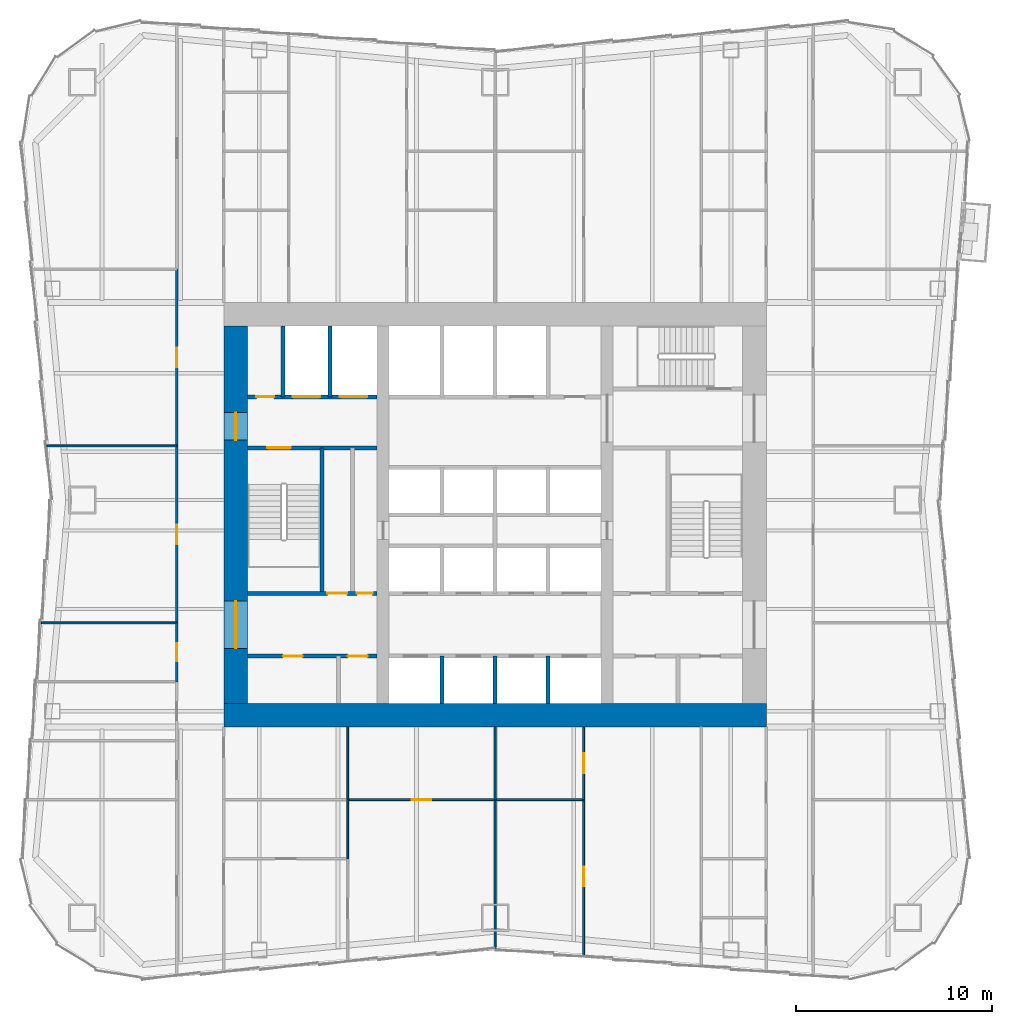
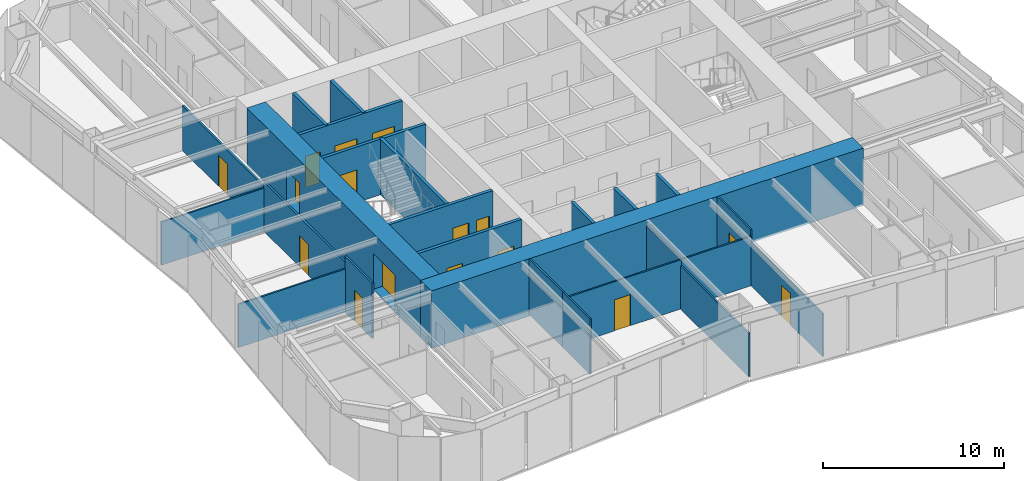
# One storey, part 4 of 9: 25 walls, 16 doors, 16 openings.
"""IFC4 building model written with IfcOpenShell, lengths in metres."""

import ifcopenshell
import ifcopenshell.guid

model = None  # the IFC model being written
_history = None  # IfcOwnerHistory: only IFC2X3 demands one
_inside = {}  # id of a spatial element -> (the spatial element, [elements in it])
_under = {}  # id of a project, library or spatial element -> (it, [spatial elements below it])
_declared = {}  # id of a project -> (the project, [libraries it declares])
_typed = {}  # id of a type object -> (the type object, [elements of that type])
_made_of = {}  # id of a material, layer set ... -> (it, [elements and type objects made of it])


def new_model(schema):
    """Start an empty IFC model of exactly this schema.

    Asked for "IFC4X3", IfcOpenShell would pick the latest addendum, in which some entities
    have other attributes; the version numbers below select the first issue.
    IFC2X3 requires an IfcOwnerHistory on every rooted entity: one is made here for all.
    """
    global model, _history
    if schema == "IFC4X3":
        model = ifcopenshell.file(schema_version=(4, 3, 0, 0))
    else:
        model = ifcopenshell.file(schema=schema)
    _inside.clear()
    _under.clear()
    _declared.clear()
    _typed.clear()
    _made_of.clear()
    _history = None
    if model.schema == "IFC2X3":
        org = make("IfcOrganization", Name="unknown")
        user = make(
            "IfcPersonAndOrganization",
            ThePerson=make("IfcPerson", FamilyName="unknown"),
            TheOrganization=org,
        )
        app = make(
            "IfcApplication",
            ApplicationDeveloper=org,
            Version="unknown",
            ApplicationFullName="unknown",
            ApplicationIdentifier="unknown",
        )
        _history = make(
            "IfcOwnerHistory",
            OwningUser=user,
            OwningApplication=app,
            ChangeAction="ADDED",
            CreationDate=0,
        )
    return model


def make(cls, **values):
    """One entity of the class cls with the attributes given. An attribute that is None is left unset."""
    return model.create_entity(
        cls, **{name: value for name, value in values.items() if value is not None}
    )


def rooted(cls, **values):
    """An entity with a GlobalId (a new one), such as an element, a storey or a relation."""
    return make(cls, GlobalId=ifcopenshell.guid.new(), OwnerHistory=_history, **values)


def si_unit(unit_type, name, prefix=None):
    """IfcSIUnit, for example si_unit("LENGTHUNIT", "METRE", prefix="MILLI")."""
    return make("IfcSIUnit", UnitType=unit_type, Prefix=prefix, Name=name)


def assignment(units):
    """IfcUnitAssignment: the units of a project."""
    return None if units is None else make("IfcUnitAssignment", Units=units)


def point(xyz):
    """IfcCartesianPoint."""
    return None if xyz is None else make("IfcCartesianPoint", Coordinates=xyz)


def direction(xyz):
    """IfcDirection."""
    return None if xyz is None else make("IfcDirection", DirectionRatios=xyz)


def frame(location, z_axis=None, x_axis=None):
    """IfcAxis2Placement3D, a coordinate frame: its origin and axes. An axis left out is left unset."""
    return make(
        "IfcAxis2Placement3D",
        Location=point(location),
        Axis=direction(z_axis),
        RefDirection=direction(x_axis),
    )


def frame_2d(location, x_axis=None):
    """IfcAxis2Placement2D, a coordinate frame in the plane: its origin and x axis."""
    return make(
        "IfcAxis2Placement2D", Location=point(location), RefDirection=direction(x_axis)
    )


def origin():
    """The frame at (0, 0, 0) with its axes left unset."""
    return frame((0.0, 0.0, 0.0))


def place(relative_to, where):
    """IfcLocalPlacement: puts the frame where relative to a parent placement (None: the world)."""
    return make(
        "IfcLocalPlacement", PlacementRelTo=relative_to, RelativePlacement=where
    )


def context(
    kind, dimensions, precision=None, world=None, true_north=None, identifier=None
):
    """IfcGeometricRepresentationContext, for example the 3D "Model" context."""
    return make(
        "IfcGeometricRepresentationContext",
        ContextIdentifier=identifier,
        ContextType=kind,
        CoordinateSpaceDimension=dimensions,
        Precision=precision,
        WorldCoordinateSystem=world,
        TrueNorth=true_north,
    )


def subcontext(parent, identifier, kind, view, scale=None):
    """IfcGeometricRepresentationSubContext, for example "Body" below "Model"."""
    return make(
        "IfcGeometricRepresentationSubContext",
        ContextIdentifier=identifier,
        ContextType=kind,
        ParentContext=parent,
        TargetScale=scale,
        TargetView=view,
    )


def project(units=None, contexts=None):
    """IfcProject with its units and contexts."""
    return rooted(
        "IfcProject",
        Name="project",
        RepresentationContexts=contexts,
        UnitsInContext=assignment(units),
    )


def spatial(cls, under=None, at=None, **own):
    """A site, building, storey or space (cls), placed at a placement, below another one or the project."""
    s = rooted(cls, ObjectPlacement=at, **own)
    if under is not None:
        _under.setdefault(under.id(), (under, []))[1].append(s)
    return s


def profile(cls, at=None, kind="AREA", **sizes):
    """A parametric profile (cls). Its sizes go by their IFC names, for example OverallWidth=200.0."""
    return make(cls, ProfileType=kind, Position=at, **sizes)


def rectangle(**sizes):
    """IfcRectangleProfileDef."""
    return profile("IfcRectangleProfileDef", **sizes)


def extrude(swept, where, along, depth):
    """IfcExtrudedAreaSolid: the profile swept, set in the frame where, extruded along a direction by depth."""
    return make(
        "IfcExtrudedAreaSolid",
        SweptArea=swept,
        Position=where,
        ExtrudedDirection=direction(along),
        Depth=depth,
    )


def shape(context_of_items, identifier, shape_type, items):
    """IfcShapeRepresentation: the items that make up one representation, for example the "Body"."""
    return make(
        "IfcShapeRepresentation",
        ContextOfItems=context_of_items,
        RepresentationIdentifier=identifier,
        RepresentationType=shape_type,
        Items=items,
    )


def material(Name=None, Category=None):
    """IfcMaterial."""
    return make("IfcMaterial", Name=Name, Category=Category)


def layer(
    of_material, thickness, ventilated=None, Name=None, Category=None, Priority=None
):
    """IfcMaterialLayer: one layer of a wall or slab, of a material (None: an air gap)."""
    return make(
        "IfcMaterialLayer",
        Material=of_material,
        LayerThickness=thickness,
        IsVentilated=ventilated,
        Name=Name,
        Category=Category,
        Priority=Priority,
    )


def layer_set(layers, Name=None):
    """IfcMaterialLayerSet."""
    return make("IfcMaterialLayerSet", MaterialLayers=layers, LayerSetName=Name)


def made_of(thing, what):
    """Note that an element or type object is made of a material, layer set ...; save() writes the relation."""
    if what is not None:
        _made_of.setdefault(what.id(), (what, []))[1].append(thing)
    return thing


def type_object(cls, material=None, **own):
    """A type object (cls), such as IfcWallType, which elements share."""
    return made_of(rooted(cls, **own), material)


def element(
    cls,
    number,
    at=None,
    inside=None,
    cuts=None,
    type_object=None,
    material=None,
    context=None,
    identifier="Body",
    shape_type=None,
    held_by="IfcProductDefinitionShape",
    body=None,
    shapes=None,
    **own,
):
    """One element of the class cls, such as IfcWall. Its Tag is "e" and its number.

    at: its placement. inside: the storey or other place that contains it. cuts: it is an
    opening in that element (IfcRelVoidsElement). A single representation is given by context,
    identifier, shape_type and body (its items); several are given by shapes. held_by: the class
    of the entity that holds the representations. save() writes the other relations.
    """
    e = rooted(cls, Tag="e%d" % number, ObjectPlacement=at, **own)
    if body is not None:
        shapes = [shape(context, identifier, shape_type, body)]
    if shapes is not None:
        e.Representation = make(held_by, Representations=shapes)
    if inside is not None:
        _inside.setdefault(inside.id(), (inside, []))[1].append(e)
    if cuts is not None:
        rooted(
            "IfcRelVoidsElement", RelatingBuildingElement=cuts, RelatedOpeningElement=e
        )
    if type_object is not None:
        _typed.setdefault(type_object.id(), (type_object, []))[1].append(e)
    return made_of(e, material)


def fill(opening, filler):
    """IfcRelFillsElement: the door or window that sits in an opening."""
    return rooted(
        "IfcRelFillsElement",
        RelatingOpeningElement=opening,
        RelatedBuildingElement=filler,
    )


def aggregate(whole, parts):
    """IfcRelAggregates: a whole, such as a stair, and the parts it consists of."""
    return rooted("IfcRelAggregates", RelatingObject=whole, RelatedObjects=parts)


def save(model, path):
    """Write the relations noted so far, then the file.

    IfcRelAggregates (storeys below a building ...), IfcRelContainedInSpatialStructure (elements
    in a storey), IfcRelDefinesByType, IfcRelAssociatesMaterial and IfcRelDeclares: one each for
    every whole, place, type object, material and project.
    """
    for whole, parts in _under.values():
        aggregate(whole, parts)
    for where, things in _inside.values():
        rooted(
            "IfcRelContainedInSpatialStructure",
            RelatedElements=things,
            RelatingStructure=where,
        )
    for kind, things in _typed.values():
        rooted("IfcRelDefinesByType", RelatedObjects=things, RelatingType=kind)
    for what, things in _made_of.values():
        rooted("IfcRelAssociatesMaterial", RelatedObjects=things, RelatingMaterial=what)
    for by, libraries in _declared.values():
        rooted("IfcRelDeclares", RelatingContext=by, RelatedDefinitions=libraries)
    model.write(path)


model = new_model("IFC4")

# Units and contexts
model_context = context("Model", 3, precision=1e-05, world=origin(), true_north=direction((0.0, 1.0)))
body_context = subcontext(model_context, "Body", "Model", "MODEL_VIEW")
ifc_project = project(units=[si_unit("LENGTHUNIT", "METRE"), si_unit("AREAUNIT", "SQUARE_METRE"), si_unit("VOLUMEUNIT", "CUBIC_METRE"), si_unit("PLANEANGLEUNIT", "RADIAN"), si_unit("MASSUNIT", "GRAM", prefix="KILO")], contexts=[model_context])

# Site, building, storey
site_placement = place(None, origin())
site = spatial("IfcSite", under=ifc_project, at=site_placement, CompositionType="ELEMENT")
building_placement = place(site_placement, origin())
building = spatial("IfcBuilding", under=site, at=building_placement, Name="Verdant Reach Tower", CompositionType="ELEMENT")
storey_placement = place(building_placement, frame((0.0, 0.0, 110.0)))
storey = spatial("IfcBuildingStorey", under=building, at=storey_placement, Name="L25", CompositionType="ELEMENT", Elevation=110.0)

# Wall, openings, doors
ifc_material_1 = material(Name="Gypsum board on steel studs", Category="steel")
ifc_layer_1 = layer(ifc_material_1, 0.199951171875)
ifc_layer_set_1 = layer_set([ifc_layer_1], Name="CO-WALL-ROOM")
wall_type_1 = type_object("IfcWallType", Name="CO-WALL-ROOM", PredefinedType="PARTITIONING", material=ifc_layer_set_1)
wall_1_placement = place(storey_placement, frame((-12.60009765625, 20.800048828125, 0.0), z_axis=(0.0, 0.0, 1.0), x_axis=(1.0, 0.0, 0.0)))
wall_1 = element("IfcWall", 1, at=wall_1_placement, inside=storey, type_object=wall_type_1, Name="Core partition, L25", PredefinedType="PARTITIONING", context=body_context, shape_type="SweptSolid", body=[
    extrude(rectangle(XDim=6.60009765625, YDim=0.199951171875, at=frame_2d((3.300048828125, 0.0))), origin(), (0.0, 0.0, 1.0), 3.75),
])
opening_1_placement = place(wall_1_placement, frame((1.81005859375, 0.0, 0.0)))
opening_1 = element("IfcOpeningElement", 2, at=opening_1_placement, cuts=wall_1, Name="Opening CD", PredefinedType="OPENING", context=body_context, shape_type="SweptSolid", body=[
    extrude(rectangle(XDim=1.0, YDim=2.10009765625, at=frame_2d((0.5, 1.050048828125))), frame((0.0, 0.10986328125, 0.0), z_axis=(0.0, -1.0, 0.0), x_axis=(1.0, 0.0, 0.0)), (0.0, 0.0, 1.0), 0.219970703125),
])
opening_2_placement = place(wall_1_placement, frame((5.110107421875, 0.0, 0.0)))
opening_2 = element("IfcOpeningElement", 3, at=opening_2_placement, cuts=wall_1, Name="Opening CD", PredefinedType="OPENING", context=body_context, shape_type="SweptSolid", body=[
    extrude(rectangle(XDim=1.0, YDim=2.10009765625, at=frame_2d((0.5, 1.050048828125))), frame((0.0, 0.10986328125, 0.0), z_axis=(0.0, -1.0, 0.0), x_axis=(1.0, 0.0, 0.0)), (0.0, 0.0, 1.0), 0.219970703125),
])
ifc_material_2 = material(Name="Timber", Category="wood")
door_type_1 = type_object("IfcDoorType", Name="CO-DOOR-ROOM", OperationType="NOTDEFINED", PredefinedType="DOOR", material=ifc_material_2)
door_1_placement = place(opening_1_placement, origin())
door_1 = element("IfcDoor", 4, at=door_1_placement, inside=storey, type_object=door_type_1, Name="Core room door, L25", OperationType="SINGLE_SWING_LEFT", OverallHeight=2.10009765625, OverallWidth=1.0, PredefinedType="DOOR", context=body_context, shape_type="SweptSolid", body=[
    extrude(rectangle(XDim=1.0, YDim=2.10009765625, at=frame_2d((0.5, 1.050048828125))), frame((0.0, 0.02490234375, 0.0), z_axis=(0.0, -1.0, 0.0), x_axis=(1.0, 0.0, 0.0)), (0.0, 0.0, 1.0), 0.050048828125),
])
fill(opening_1, door_1)
door_2_placement = place(opening_2_placement, origin())
door_2 = element("IfcDoor", 5, at=door_2_placement, inside=storey, type_object=door_type_1, Name="Core room door, L25", OperationType="SINGLE_SWING_LEFT", OverallHeight=2.10009765625, OverallWidth=1.0, PredefinedType="DOOR", context=body_context, shape_type="SweptSolid", body=[
    extrude(rectangle(XDim=1.0, YDim=2.10009765625, at=frame_2d((0.5, 1.050048828125))), frame((0.0, 0.02490234375, 0.0), z_axis=(0.0, -1.0, 0.0), x_axis=(1.0, 0.0, 0.0)), (0.0, 0.0, 1.0), 0.050048828125),
])
fill(opening_2, door_2)

ifc_material_3 = material(Name="Concrete C40/50", Category="concrete")
ifc_layer_2 = layer(ifc_material_3, 0.199951171875)
ifc_layer_set_2 = layer_set([ifc_layer_2], Name="CO-WALL-SHAFT")
wall_type_2 = type_object("IfcWallType", Name="CO-WALL-SHAFT", PredefinedType="PARTITIONING", material=ifc_layer_set_2)
wall_2_placement = place(storey_placement, frame((-12.60009765625, 34.0, 0.0), z_axis=(0.0, 0.0, 1.0), x_axis=(1.0, 0.0, 0.0)))
wall_2 = element("IfcWall", 6, at=wall_2_placement, inside=storey, type_object=wall_type_2, Name="Lift shaft wall, L25", PredefinedType="PARTITIONING", context=body_context, shape_type="SweptSolid", body=[
    extrude(rectangle(XDim=6.60009765625, YDim=0.199951171875, at=frame_2d((3.300048828125, 0.0))), origin(), (0.0, 0.0, 1.0), 3.75),
])
opening_3_placement = place(wall_2_placement, frame((4.699951171875, 0.0, 0.0)))
opening_3 = element("IfcOpeningElement", 7, at=opening_3_placement, cuts=wall_2, Name="Opening LD-F1", PredefinedType="OPENING", context=body_context, shape_type="SweptSolid", body=[
    extrude(rectangle(XDim=1.39990234375, YDim=2.199951171875, at=frame_2d((0.699951171875, 1.10009765625))), frame((0.0, 0.10986328125, 0.0), z_axis=(0.0, -1.0, 0.0), x_axis=(1.0, 0.0, 0.0)), (0.0, 0.0, 1.0), 0.219970703125),
])
opening_4_placement = place(wall_2_placement, frame((2.300048828125, 0.0, 0.0)))
opening_4 = element("IfcOpeningElement", 8, at=opening_4_placement, cuts=wall_2, Name="Opening LD-F2", PredefinedType="OPENING", context=body_context, shape_type="SweptSolid", body=[
    extrude(rectangle(XDim=1.39990234375, YDim=2.199951171875, at=frame_2d((0.699951171875, 1.10009765625))), frame((0.0, 0.10986328125, 0.0), z_axis=(0.0, -1.0, 0.0), x_axis=(1.0, 0.0, 0.0)), (0.0, 0.0, 1.0), 0.219970703125),
])
opening_5_placement = place(wall_2_placement, frame((0.449951171875, 0.0, 0.0)))
opening_5 = element("IfcOpeningElement", 9, at=opening_5_placement, cuts=wall_2, Name="Opening RD", PredefinedType="OPENING", context=body_context, shape_type="SweptSolid", body=[
    extrude(rectangle(XDim=0.89990234375, YDim=2.10009765625, at=frame_2d((0.449951171875, 1.050048828125))), frame((0.0, 0.10986328125, 0.0), z_axis=(0.0, -1.0, 0.0), x_axis=(1.0, 0.0, 0.0)), (0.0, 0.0, 1.0), 0.219970703125),
])
ifc_material_4 = material(Name="Stainless steel", Category="steel")
door_type_2 = type_object("IfcDoorType", Name="CO-DOOR-LANDING-FF", OperationType="SLIDING_TO_LEFT", PredefinedType="DOOR", material=ifc_material_4)
door_3_placement = place(opening_3_placement, origin())
door_3 = element("IfcDoor", 10, at=door_3_placement, inside=storey, type_object=door_type_2, Name="Landing door F1, L25", OperationType="SLIDING_TO_LEFT", OverallHeight=2.199951171875, OverallWidth=1.39990234375, PredefinedType="DOOR", context=body_context, shape_type="SweptSolid", body=[
    extrude(rectangle(XDim=1.39990234375, YDim=2.199951171875, at=frame_2d((0.699951171875, 1.10009765625))), frame((0.0, 0.02490234375, 0.0), z_axis=(0.0, -1.0, 0.0), x_axis=(1.0, 0.0, 0.0)), (0.0, 0.0, 1.0), 0.050048828125),
])
fill(opening_3, door_3)
door_4_placement = place(opening_4_placement, origin())
door_4 = element("IfcDoor", 11, at=door_4_placement, inside=storey, type_object=door_type_2, Name="Landing door F2, L25", OperationType="SLIDING_TO_LEFT", OverallHeight=2.199951171875, OverallWidth=1.39990234375, PredefinedType="DOOR", context=body_context, shape_type="SweptSolid", body=[
    extrude(rectangle(XDim=1.39990234375, YDim=2.199951171875, at=frame_2d((0.699951171875, 1.10009765625))), frame((0.0, 0.02490234375, 0.0), z_axis=(0.0, -1.0, 0.0), x_axis=(1.0, 0.0, 0.0)), (0.0, 0.0, 1.0), 0.050048828125),
])
fill(opening_4, door_4)
ifc_material_5 = material(Name="Steel", Category="steel")
door_type_3 = type_object("IfcDoorType", Name="CO-DOOR-RISER", OperationType="NOTDEFINED", PredefinedType="DOOR", material=ifc_material_5)
door_5_placement = place(opening_5_placement, origin())
door_5 = element("IfcDoor", 12, at=door_5_placement, inside=storey, type_object=door_type_3, Name="Core room door, L25", OperationType="SINGLE_SWING_RIGHT", OverallHeight=2.10009765625, OverallWidth=0.89990234375, PredefinedType="DOOR", context=body_context, shape_type="SweptSolid", body=[
    extrude(rectangle(XDim=0.89990234375, YDim=2.10009765625, at=frame_2d((0.449951171875, 1.050048828125))), frame((0.0, 0.02490234375, 0.0), z_axis=(0.0, -1.0, 0.0), x_axis=(1.0, 0.0, 0.0)), (0.0, 0.0, 1.0), 0.050048828125),
])
fill(opening_5, door_5)

# Walls
for number, where, z_axis, x_axis, name in (
    (13, (-10.800048828125, 34.0, 0.0), (0.0, 0.0, 1.0), (0.0, 1.0, 0.0), "Lift shaft wall, L25"),
    (14, (-8.39990234375, 34.0, 0.0), (0.0, 0.0, 1.0), (0.0, 1.0, 0.0), "Lift shaft wall, L25"),
):
    element("IfcWall", number, at=place(storey_placement, frame(where, z_axis=z_axis, x_axis=x_axis)), inside=storey, type_object=wall_type_2, Name=name, PredefinedType="PARTITIONING", context=body_context, shape_type="SweptSolid", body=[
        extrude(rectangle(XDim=3.60009765625, YDim=0.199951171875, at=frame_2d((1.800048828125, 0.0))), origin(), (0.0, 0.0, 1.0), 3.75),
    ])
for number, where, z_axis, x_axis, name in (
    (15, (-2.699951171875, 18.39990234375, 0.0), (0.0, 0.0, 1.0), (0.0, 1.0, 0.0), "Lift shaft wall, L25"),
    (16, (0.0, 18.39990234375, 0.0), (0.0, 0.0, 1.0), (0.0, 1.0, 0.0), "Lift shaft wall, L25"),
    (17, (2.699951171875, 18.39990234375, 0.0), (0.0, 0.0, 1.0), (0.0, 1.0, 0.0), "Lift shaft wall, L25"),
):
    element("IfcWall", number, at=place(storey_placement, frame(where, z_axis=z_axis, x_axis=x_axis)), inside=storey, type_object=wall_type_2, Name=name, PredefinedType="PARTITIONING", context=body_context, shape_type="SweptSolid", body=[
        extrude(rectangle(XDim=2.400146484375, YDim=0.199951171875, at=frame_2d((1.2001953125, 0.0))), origin(), (0.0, 0.0, 1.0), 3.75),
    ])

# Wall, openings, doors
ifc_layer_3 = layer(ifc_material_3, 0.199951171875)
ifc_layer_set_3 = layer_set([ifc_layer_3], Name="CO-WALL-STAIR")
wall_type_3 = type_object("IfcWallType", Name="CO-WALL-STAIR", PredefinedType="PARTITIONING", material=ifc_layer_set_3)
wall_3_placement = place(storey_placement, frame((-12.60009765625, 24.0, 0.0), z_axis=(0.0, 0.0, 1.0), x_axis=(1.0, 0.0, 0.0)))
wall_3 = element("IfcWall", 18, at=wall_3_placement, inside=storey, type_object=wall_type_3, Name="Stair enclosure wall, L25", PredefinedType="PARTITIONING", context=body_context, shape_type="SweptSolid", body=[
    extrude(rectangle(XDim=6.60009765625, YDim=0.199951171875, at=frame_2d((3.300048828125, 0.0))), origin(), (0.0, 0.0, 1.0), 3.75),
])
opening_6_placement = place(wall_3_placement, frame((4.070068359375, 0.0, 0.0)))
opening_6 = element("IfcOpeningElement", 19, at=opening_6_placement, cuts=wall_3, Name="Opening CD", PredefinedType="OPENING", context=body_context, shape_type="SweptSolid", body=[
    extrude(rectangle(XDim=1.0, YDim=2.10009765625, at=frame_2d((0.5, 1.050048828125))), frame((0.0, 0.10986328125, 0.0), z_axis=(0.0, -1.0, 0.0), x_axis=(1.0, 0.0, 0.0)), (0.0, 0.0, 1.0), 0.219970703125),
])
opening_7_placement = place(wall_3_placement, frame((5.570068359375, 0.0, 0.0)))
opening_7 = element("IfcOpeningElement", 20, at=opening_7_placement, cuts=wall_3, Name="Opening CDN", PredefinedType="OPENING", context=body_context, shape_type="SweptSolid", body=[
    extrude(rectangle(XDim=0.800048828125, YDim=2.10009765625, at=frame_2d((0.39990234375, 1.050048828125))), frame((0.0, 0.10986328125, 0.0), z_axis=(0.0, -1.0, 0.0), x_axis=(1.0, 0.0, 0.0)), (0.0, 0.0, 1.0), 0.219970703125),
])
door_6_placement = place(opening_6_placement, origin())
door_6 = element("IfcDoor", 21, at=door_6_placement, inside=storey, type_object=door_type_1, Name="Core room door, L25", OperationType="SINGLE_SWING_RIGHT", OverallHeight=2.10009765625, OverallWidth=1.0, PredefinedType="DOOR", context=body_context, shape_type="SweptSolid", body=[
    extrude(rectangle(XDim=1.0, YDim=2.10009765625, at=frame_2d((0.5, 1.050048828125))), frame((0.0, 0.02490234375, 0.0), z_axis=(0.0, -1.0, 0.0), x_axis=(1.0, 0.0, 0.0)), (0.0, 0.0, 1.0), 0.050048828125),
])
fill(opening_6, door_6)
door_type_4 = type_object("IfcDoorType", Name="CO-DOOR-ROOM-NARROW", OperationType="NOTDEFINED", PredefinedType="DOOR", material=ifc_material_2)
door_7_placement = place(opening_7_placement, origin())
door_7 = element("IfcDoor", 22, at=door_7_placement, inside=storey, type_object=door_type_4, Name="Core room door, L25", OperationType="SINGLE_SWING_LEFT", OverallHeight=2.10009765625, OverallWidth=0.800048828125, PredefinedType="DOOR", context=body_context, shape_type="SweptSolid", body=[
    extrude(rectangle(XDim=0.800048828125, YDim=2.10009765625, at=frame_2d((0.39990234375, 1.050048828125))), frame((0.0, 0.02490234375, 0.0), z_axis=(0.0, -1.0, 0.0), x_axis=(1.0, 0.0, 0.0)), (0.0, 0.0, 1.0), 0.050048828125),
])
fill(opening_7, door_7)

# Wall, opening, door
wall_4_placement = place(storey_placement, frame((-12.60009765625, 31.39990234375, 0.0), z_axis=(0.0, 0.0, 1.0), x_axis=(1.0, 0.0, 0.0)))
wall_4 = element("IfcWall", 23, at=wall_4_placement, inside=storey, type_object=wall_type_3, Name="Stair enclosure wall, L25", PredefinedType="PARTITIONING", context=body_context, shape_type="SweptSolid", body=[
    extrude(rectangle(XDim=6.60009765625, YDim=0.199951171875, at=frame_2d((3.300048828125, 0.0))), origin(), (0.0, 0.0, 1.0), 3.75),
])
opening_8_placement = place(wall_4_placement, frame((1.0, 0.0, 0.0)))
opening_8 = element("IfcOpeningElement", 24, at=opening_8_placement, cuts=wall_4, Name="Opening SD", PredefinedType="OPENING", context=body_context, shape_type="SweptSolid", body=[
    extrude(rectangle(XDim=1.199951171875, YDim=2.199951171875, at=frame_2d((0.60009765625, 1.10009765625))), frame((0.0, 0.10986328125, 0.0), z_axis=(0.0, -1.0, 0.0), x_axis=(1.0, 0.0, 0.0)), (0.0, 0.0, 1.0), 0.219970703125),
])
door_type_5 = type_object("IfcDoorType", Name="CO-DOOR-STAIR", OperationType="NOTDEFINED", PredefinedType="DOOR", material=ifc_material_5)
door_8_placement = place(opening_8_placement, origin())
door_8 = element("IfcDoor", 25, at=door_8_placement, inside=storey, type_object=door_type_5, Name="Stair door, L25", OperationType="SINGLE_SWING_RIGHT", OverallHeight=2.199951171875, OverallWidth=1.199951171875, PredefinedType="DOOR", context=body_context, shape_type="SweptSolid", body=[
    extrude(rectangle(XDim=1.199951171875, YDim=2.199951171875, at=frame_2d((0.60009765625, 1.10009765625))), frame((0.0, 0.02490234375, 0.0), z_axis=(0.0, -1.0, 0.0), x_axis=(1.0, 0.0, 0.0)), (0.0, 0.0, 1.0), 0.050048828125),
])
fill(opening_8, door_8)

# Walls
wall_5_placement = place(storey_placement, frame((-8.800048828125, 24.0, 0.0), z_axis=(0.0, 0.0, 1.0), x_axis=(0.0, 1.0, 0.0)))
element("IfcWall", 26, at=wall_5_placement, inside=storey, type_object=wall_type_3, Name="Stair enclosure wall, L25", PredefinedType="PARTITIONING", context=body_context, shape_type="SweptSolid", body=[
    extrude(rectangle(XDim=7.39990234375, YDim=0.199951171875, at=frame_2d((3.699951171875, 0.0))), origin(), (0.0, 0.0, 1.0), 3.75),
])
ifc_layer_4 = layer(ifc_material_1, 0.10009765625)
ifc_layer_set_4 = layer_set([ifc_layer_4], Name="FL-W1 Partition 100")
wall_type_4 = type_object("IfcWallType", Name="FL-W1 Partition 100", PredefinedType="PARTITIONING", material=ifc_layer_set_4)
wall_6_placement = place(storey_placement, frame((-16.199951171875, 22.5, 0.0), z_axis=(0.0, 0.0, 1.0), x_axis=(-1.0, 0.0, 0.0)))
element("IfcWall", 27, at=wall_6_placement, inside=storey, type_object=wall_type_4, Name="Partition 25.30", PredefinedType="PARTITIONING", context=body_context, shape_type="SweptSolid", body=[
    extrude(rectangle(XDim=6.893798828125, YDim=0.10009765625, at=frame_2d((3.44677734375, 0.0))), origin(), (0.0, 0.0, 1.0), 2.919921875),
])
wall_7_placement = place(storey_placement, frame((-16.199951171875, 31.5, 0.0), z_axis=(0.0, 0.0, 1.0), x_axis=(-1.0, 0.0, 0.0)))
element("IfcWall", 28, at=wall_7_placement, inside=storey, type_object=wall_type_4, Name="Partition 25.31", PredefinedType="PARTITIONING", context=body_context, shape_type="SweptSolid", body=[
    extrude(rectangle(XDim=6.60595703125, YDim=0.10009765625, at=frame_2d((3.302978515625, 0.0))), origin(), (0.0, 0.0, 1.0), 2.919921875),
])
wall_8_placement = place(storey_placement, frame((-7.5, 10.49609375, 0.0), z_axis=(0.0, 0.0, 1.0), x_axis=(0.0, 1.0, 0.0)))
element("IfcWall", 29, at=wall_8_placement, inside=storey, type_object=wall_type_4, Name="Partition 25.41", PredefinedType="PARTITIONING", context=body_context, shape_type="SweptSolid", body=[
    extrude(rectangle(XDim=3.00390625, YDim=0.10009765625, at=frame_2d((1.501953125, 0.0))), origin(), (0.0, 0.0, 1.0), 3.75),
])
wall_9_placement = place(storey_placement, frame((-7.5, 13.5, 0.0), z_axis=(0.0, 0.0, 1.0), x_axis=(0.0, 1.0, 0.0)))
element("IfcWall", 30, at=wall_9_placement, inside=storey, type_object=wall_type_4, Name="Partition 25.42", PredefinedType="PARTITIONING", context=body_context, shape_type="SweptSolid", body=[
    extrude(rectangle(XDim=3.699951171875, YDim=0.10009765625, at=frame_2d((1.85009765625, 0.0))), origin(), (0.0, 0.0, 1.0), 3.75),
])

# Wall, opening, door
wall_10_placement = place(storey_placement, frame((-7.5, 13.5, 0.0), z_axis=(0.0, 0.0, 1.0), x_axis=(1.0, 0.0, 0.0)))
wall_10 = element("IfcWall", 31, at=wall_10_placement, inside=storey, type_object=wall_type_4, Name="Partition 25.43", PredefinedType="PARTITIONING", context=body_context, shape_type="SweptSolid", body=[
    extrude(rectangle(XDim=7.5, YDim=0.10009765625, at=frame_2d((3.75, 0.0))), origin(), (0.0, 0.0, 1.0), 3.320068359375),
])
opening_9_placement = place(wall_10_placement, frame((3.25, 0.0, 0.0)))
opening_9 = element("IfcOpeningElement", 32, at=opening_9_placement, cuts=wall_10, Name="Opening D3", PredefinedType="OPENING", context=body_context, shape_type="SweptSolid", body=[
    extrude(rectangle(XDim=1.0, YDim=2.10009765625, at=frame_2d((0.5, 1.050048828125))), frame((0.0, 0.06005859375, 0.0), z_axis=(0.0, -1.0, 0.0), x_axis=(1.0, 0.0, 0.0)), (0.0, 0.0, 1.0), 0.1201171875),
])
ifc_material_6 = material(Name="Painted timber door leaf", Category="wood")
door_type_6 = type_object("IfcDoorType", Name="FL-D3 Door 1000x2100", OperationType="NOTDEFINED", PredefinedType="DOOR", material=ifc_material_6)
door_9_placement = place(opening_9_placement, origin())
door_9 = element("IfcDoor", 33, at=door_9_placement, inside=storey, type_object=door_type_6, Name="Door 25-028", OperationType="SINGLE_SWING_RIGHT", OverallHeight=2.10009765625, OverallWidth=1.0, PredefinedType="DOOR", context=body_context, shape_type="SweptSolid", body=[
    extrude(rectangle(XDim=1.0, YDim=2.10009765625, at=frame_2d((0.5, 1.050048828125))), frame((0.0, 0.02490234375, 0.0), z_axis=(0.0, -1.0, 0.0), x_axis=(1.0, 0.0, 0.0)), (0.0, 0.0, 1.0), 0.050048828125),
])
fill(opening_9, door_9)

# Walls
wall_11_placement = place(storey_placement, frame((0.0, 5.919921875, 0.0), z_axis=(0.0, 0.0, 1.0), x_axis=(0.0, 1.0, 0.0)))
element("IfcWall", 34, at=wall_11_placement, inside=storey, type_object=wall_type_4, Name="Partition 25.44", PredefinedType="PARTITIONING", context=body_context, shape_type="SweptSolid", body=[
    extrude(rectangle(XDim=7.580078125, YDim=0.10009765625, at=frame_2d((3.7900390625, 0.0))), origin(), (0.0, 0.0, 1.0), 2.919921875),
])
wall_12_placement = place(storey_placement, frame((0.0, 13.5, 0.0), z_axis=(0.0, 0.0, 1.0), x_axis=(0.0, 1.0, 0.0)))
element("IfcWall", 35, at=wall_12_placement, inside=storey, type_object=wall_type_4, Name="Partition 25.45", PredefinedType="PARTITIONING", context=body_context, shape_type="SweptSolid", body=[
    extrude(rectangle(XDim=3.699951171875, YDim=0.10009765625, at=frame_2d((1.85009765625, 0.0))), origin(), (0.0, 0.0, 1.0), 3.360107421875),
])

# Wall, opening, door
wall_13_placement = place(storey_placement, frame((4.5, 5.544921875, 0.0), z_axis=(0.0, 0.0, 1.0), x_axis=(0.0, 1.0, 0.0)))
wall_13 = element("IfcWall", 36, at=wall_13_placement, inside=storey, type_object=wall_type_4, Name="Partition 25.51", PredefinedType="PARTITIONING", context=body_context, shape_type="SweptSolid", body=[
    extrude(rectangle(XDim=7.955078125, YDim=0.10009765625, at=frame_2d((3.9775390625, 0.0))), origin(), (0.0, 0.0, 1.0), 2.919921875),
])
opening_10_placement = place(wall_13_placement, frame((3.54248046875, 0.0, 0.0)))
opening_10 = element("IfcOpeningElement", 37, at=opening_10_placement, cuts=wall_13, Name="Opening D3", PredefinedType="OPENING", context=body_context, shape_type="SweptSolid", body=[
    extrude(rectangle(XDim=1.0, YDim=2.10009765625, at=frame_2d((0.5, 1.050048828125))), frame((0.0, 0.06005859375, 0.0), z_axis=(0.0, -1.0, 0.0), x_axis=(1.0, 0.0, 0.0)), (0.0, 0.0, 1.0), 0.1201171875),
])
door_10_placement = place(opening_10_placement, origin())
door_10 = element("IfcDoor", 38, at=door_10_placement, inside=storey, type_object=door_type_6, Name="Door 25-030", OperationType="SINGLE_SWING_RIGHT", OverallHeight=2.10009765625, OverallWidth=1.0, PredefinedType="DOOR", context=body_context, shape_type="SweptSolid", body=[
    extrude(rectangle(XDim=1.0, YDim=2.10009765625, at=frame_2d((0.5, 1.050048828125))), frame((0.0, 0.02490234375, 0.0), z_axis=(0.0, -1.0, 0.0), x_axis=(1.0, 0.0, 0.0)), (0.0, 0.0, 1.0), 0.050048828125),
])
fill(opening_10, door_10)

wall_14_placement = place(storey_placement, frame((4.5, 13.5, 0.0), z_axis=(0.0, 0.0, 1.0), x_axis=(0.0, 1.0, 0.0)))
wall_14 = element("IfcWall", 39, at=wall_14_placement, inside=storey, type_object=wall_type_4, Name="Partition 25.52", PredefinedType="PARTITIONING", context=body_context, shape_type="SweptSolid", body=[
    extrude(rectangle(XDim=3.699951171875, YDim=0.10009765625, at=frame_2d((1.85009765625, 0.0))), origin(), (0.0, 0.0, 1.0), 3.75),
])
opening_11_placement = place(wall_14_placement, frame((1.35009765625, 0.0, 0.0)))
opening_11 = element("IfcOpeningElement", 40, at=opening_11_placement, cuts=wall_14, Name="Opening D3", PredefinedType="OPENING", context=body_context, shape_type="SweptSolid", body=[
    extrude(rectangle(XDim=1.0, YDim=2.10009765625, at=frame_2d((0.5, 1.050048828125))), frame((0.0, 0.06005859375, 0.0), z_axis=(0.0, -1.0, 0.0), x_axis=(1.0, 0.0, 0.0)), (0.0, 0.0, 1.0), 0.1201171875),
])
door_11_placement = place(opening_11_placement, origin())
door_11 = element("IfcDoor", 41, at=door_11_placement, inside=storey, type_object=door_type_6, Name="Door 25-031", OperationType="SINGLE_SWING_LEFT", OverallHeight=2.10009765625, OverallWidth=1.0, PredefinedType="DOOR", context=body_context, shape_type="SweptSolid", body=[
    extrude(rectangle(XDim=1.0, YDim=2.10009765625, at=frame_2d((0.5, 1.050048828125))), frame((0.0, 0.02490234375, 0.0), z_axis=(0.0, -1.0, 0.0), x_axis=(1.0, 0.0, 0.0)), (0.0, 0.0, 1.0), 0.050048828125),
])
fill(opening_11, door_11)

# Wall
wall_15_placement = place(storey_placement, frame((4.5, 13.5, 0.0), z_axis=(0.0, 0.0, 1.0), x_axis=(-1.0, 0.0, 0.0)))
element("IfcWall", 42, at=wall_15_placement, inside=storey, type_object=wall_type_4, Name="Partition 25.53", PredefinedType="PARTITIONING", context=body_context, shape_type="SweptSolid", body=[
    extrude(rectangle(XDim=4.5, YDim=0.10009765625, at=frame_2d((2.25, 0.0))), origin(), (0.0, 0.0, 1.0), 3.320068359375),
])

# Wall, opening, door
ifc_material_7 = material(Name="Gypsum board on steel studs, fire rated", Category="steel")
ifc_layer_5 = layer(ifc_material_7, 0.125)
ifc_layer_set_5 = layer_set([ifc_layer_5], Name="FL-W2 Corridor wall 125")
wall_type_5 = type_object("IfcWallType", Name="FL-W2 Corridor wall 125", PredefinedType="PARTITIONING", material=ifc_layer_set_5)
wall_16_placement = place(storey_placement, frame((-16.199951171875, 19.5, 0.0), z_axis=(0.0, 0.0, 1.0), x_axis=(0.0, 1.0, 0.0)))
wall_16 = element("IfcWall", 43, at=wall_16_placement, inside=storey, type_object=wall_type_5, Name="Partition 25.04", PredefinedType="PARTITIONING", context=body_context, shape_type="SweptSolid", body=[
    extrude(rectangle(XDim=3.0, YDim=0.125, at=frame_2d((1.5, 0.0))), origin(), (0.0, 0.0, 1.0), 3.75),
])
opening_12_placement = place(wall_16_placement, frame((1.050048828125, 0.0, 0.0)))
opening_12 = element("IfcOpeningElement", 44, at=opening_12_placement, cuts=wall_16, Name="Opening D1", PredefinedType="OPENING", context=body_context, shape_type="SweptSolid", body=[
    extrude(rectangle(XDim=0.89990234375, YDim=2.10009765625, at=frame_2d((0.449951171875, 1.050048828125))), frame((0.0, 0.072509765625, 0.0), z_axis=(0.0, -1.0, 0.0), x_axis=(1.0, 0.0, 0.0)), (0.0, 0.0, 1.0), 0.14501953125),
])
door_type_7 = type_object("IfcDoorType", Name="FL-D1 Door 900x2100", OperationType="NOTDEFINED", PredefinedType="DOOR", material=ifc_material_6)
door_12_placement = place(opening_12_placement, origin())
door_12 = element("IfcDoor", 45, at=door_12_placement, inside=storey, type_object=door_type_7, Name="Door 25-004", OperationType="SINGLE_SWING_RIGHT", OverallHeight=2.10009765625, OverallWidth=0.89990234375, PredefinedType="DOOR", context=body_context, shape_type="SweptSolid", body=[
    extrude(rectangle(XDim=0.89990234375, YDim=2.10009765625, at=frame_2d((0.449951171875, 1.050048828125))), frame((0.0, 0.02490234375, 0.0), z_axis=(0.0, -1.0, 0.0), x_axis=(1.0, 0.0, 0.0)), (0.0, 0.0, 1.0), 0.050048828125),
])
fill(opening_12, door_12)

wall_17_placement = place(storey_placement, frame((-16.199951171875, 22.5, 0.0), z_axis=(0.0, 0.0, 1.0), x_axis=(0.0, 1.0, 0.0)))
wall_17 = element("IfcWall", 46, at=wall_17_placement, inside=storey, type_object=wall_type_5, Name="Partition 25.05", PredefinedType="PARTITIONING", context=body_context, shape_type="SweptSolid", body=[
    extrude(rectangle(XDim=9.0, YDim=0.125, at=frame_2d((4.5, 0.0))), origin(), (0.0, 0.0, 1.0), 3.360107421875),
])
opening_13_placement = place(wall_17_placement, frame((4.0, 0.0, 0.0)))
opening_13 = element("IfcOpeningElement", 47, at=opening_13_placement, cuts=wall_17, Name="Opening D2", PredefinedType="OPENING", context=body_context, shape_type="SweptSolid", body=[
    extrude(rectangle(XDim=1.0, YDim=2.10009765625, at=frame_2d((0.5, 1.050048828125))), frame((0.0, 0.072509765625, 0.0), z_axis=(0.0, -1.0, 0.0), x_axis=(1.0, 0.0, 0.0)), (0.0, 0.0, 1.0), 0.14501953125),
])
ifc_material_8 = material(Name="Timber door leaf, fire rated", Category="wood")
door_type_8 = type_object("IfcDoorType", Name="FL-D2 Entrance door 1000x2100 FD30", OperationType="NOTDEFINED", PredefinedType="DOOR", material=ifc_material_8)
door_13_placement = place(opening_13_placement, origin())
door_13 = element("IfcDoor", 48, at=door_13_placement, inside=storey, type_object=door_type_8, Name="Door 25-005", OperationType="SINGLE_SWING_LEFT", OverallHeight=2.10009765625, OverallWidth=1.0, PredefinedType="DOOR", context=body_context, shape_type="SweptSolid", body=[
    extrude(rectangle(XDim=1.0, YDim=2.10009765625, at=frame_2d((0.5, 1.050048828125))), frame((0.0, 0.02490234375, 0.0), z_axis=(0.0, -1.0, 0.0), x_axis=(1.0, 0.0, 0.0)), (0.0, 0.0, 1.0), 0.050048828125),
])
fill(opening_13, door_13)

wall_18_placement = place(storey_placement, frame((-16.199951171875, 31.5, 0.0), z_axis=(0.0, 0.0, 1.0), x_axis=(0.0, 1.0, 0.0)))
wall_18 = element("IfcWall", 49, at=wall_18_placement, inside=storey, type_object=wall_type_5, Name="Partition 25.06", PredefinedType="PARTITIONING", context=body_context, shape_type="SweptSolid", body=[
    extrude(rectangle(XDim=9.0, YDim=0.125, at=frame_2d((4.5, 0.0))), origin(), (0.0, 0.0, 1.0), 3.02001953125),
])
opening_14_placement = place(wall_18_placement, frame((4.0, 0.0, 0.0)))
opening_14 = element("IfcOpeningElement", 50, at=opening_14_placement, cuts=wall_18, Name="Opening D2", PredefinedType="OPENING", context=body_context, shape_type="SweptSolid", body=[
    extrude(rectangle(XDim=1.0, YDim=2.10009765625, at=frame_2d((0.5, 1.050048828125))), frame((0.0, 0.072509765625, 0.0), z_axis=(0.0, -1.0, 0.0), x_axis=(1.0, 0.0, 0.0)), (0.0, 0.0, 1.0), 0.14501953125),
])
door_14_placement = place(opening_14_placement, origin())
door_14 = element("IfcDoor", 51, at=door_14_placement, inside=storey, type_object=door_type_8, Name="Door 25-006", OperationType="SINGLE_SWING_RIGHT", OverallHeight=2.10009765625, OverallWidth=1.0, PredefinedType="DOOR", context=body_context, shape_type="SweptSolid", body=[
    extrude(rectangle(XDim=1.0, YDim=2.10009765625, at=frame_2d((0.5, 1.050048828125))), frame((0.0, 0.02490234375, 0.0), z_axis=(0.0, -1.0, 0.0), x_axis=(1.0, 0.0, 0.0)), (0.0, 0.0, 1.0), 0.050048828125),
])
fill(opening_14, door_14)

# Wall
ifc_material_9 = material(Name="Concrete C70/85", Category="concrete")
ifc_layer_6 = layer(ifc_material_9, 1.199951171875)
ifc_layer_set_6 = layer_set([ifc_layer_6], Name="ST-CORE-WALL-1200")
wall_type_6 = type_object("IfcWallType", Name="ST-CORE-WALL-1200", PredefinedType="SHEAR", material=ifc_layer_set_6)
wall_19_placement = place(storey_placement, frame((-13.800048828125, 17.800048828125, -0.1298828125), z_axis=(0.0, 0.0, 1.0), x_axis=(1.0, 0.0, 0.0)))
element("IfcWall", 52, at=wall_19_placement, inside=storey, type_object=wall_type_6, Name="Core wall S, L25", PredefinedType="SHEAR", context=body_context, shape_type="SweptSolid", body=[
    extrude(rectangle(XDim=27.60009765625, YDim=1.199951171875, at=frame_2d((13.800048828125, 0.0))), origin(), (0.0, 0.0, 1.0), 3.8798828125),
])

# Wall, openings, doors
wall_20_placement = place(storey_placement, frame((-13.199951171875, 18.39990234375, -0.1298828125), z_axis=(0.0, 0.0, 1.0), x_axis=(0.0, 1.0, 0.0)))
wall_20 = element("IfcWall", 53, at=wall_20_placement, inside=storey, type_object=wall_type_6, Name="Core wall W, L25", PredefinedType="SHEAR", context=body_context, shape_type="SweptSolid", body=[
    extrude(rectangle(XDim=19.2001953125, YDim=1.199951171875, at=frame_2d((9.60009765625, 0.0))), origin(), (0.0, 0.0, 1.0), 3.8798828125),
])
opening_15_placement = place(wall_20_placement, frame((2.800048828125, 0.0, 0.1298828125)))
opening_15 = element("IfcOpeningElement", 54, at=opening_15_placement, cuts=wall_20, Name="Opening LB", PredefinedType="OPENING", context=body_context, shape_type="SweptSolid", body=[
    extrude(rectangle(XDim=2.39990234375, YDim=2.39990234375, at=frame_2d((1.199951171875, 1.199951171875))), frame((0.0, 0.60986328125, 0.0), z_axis=(0.0, -1.0, 0.0), x_axis=(1.0, 0.0, 0.0)), (0.0, 0.0, 1.0), 1.219970703125),
])
opening_16_placement = place(wall_20_placement, frame((13.39990234375, 0.0, 0.1298828125)))
opening_16 = element("IfcOpeningElement", 55, at=opening_16_placement, cuts=wall_20, Name="Opening FL", PredefinedType="OPENING", context=body_context, shape_type="SweptSolid", body=[
    extrude(rectangle(XDim=1.39990234375, YDim=2.199951171875, at=frame_2d((0.699951171875, 1.10009765625))), frame((0.0, 0.60986328125, 0.0), z_axis=(0.0, -1.0, 0.0), x_axis=(1.0, 0.0, 0.0)), (0.0, 0.0, 1.0), 1.219970703125),
])
door_type_9 = type_object("IfcDoorType", Name="CO-DOOR-FFL", OperationType="NOTDEFINED", PredefinedType="DOOR", material=ifc_material_5)
door_15_placement = place(opening_16_placement, origin())
door_15 = element("IfcDoor", 56, at=door_15_placement, inside=storey, type_object=door_type_9, Name="Core entrance door, L25", OperationType="SINGLE_SWING_RIGHT", OverallHeight=2.199951171875, OverallWidth=1.39990234375, PredefinedType="DOOR", context=body_context, shape_type="SweptSolid", body=[
    extrude(rectangle(XDim=1.39990234375, YDim=2.199951171875, at=frame_2d((0.699951171875, 1.10009765625))), frame((0.0, 0.02490234375, 0.0), z_axis=(0.0, -1.0, 0.0), x_axis=(1.0, 0.0, 0.0)), (0.0, 0.0, 1.0), 0.050048828125),
])
fill(opening_16, door_15)
ifc_material_10 = material(Name="Glass and steel", Category="steel")
door_type_10 = type_object("IfcDoorType", Name="CO-DOOR-LOBBY", OperationType="DOUBLE_DOOR_SINGLE_SWING", PredefinedType="DOOR", material=ifc_material_10)
door_16_placement = place(opening_15_placement, origin())
door_16 = element("IfcDoor", 57, at=door_16_placement, inside=storey, type_object=door_type_10, Name="Core entrance door, L25", OperationType="DOUBLE_DOOR_SINGLE_SWING", OverallHeight=2.39990234375, OverallWidth=2.39990234375, PredefinedType="DOOR", context=body_context, shape_type="SweptSolid", body=[
    extrude(rectangle(XDim=2.39990234375, YDim=2.39990234375, at=frame_2d((1.199951171875, 1.199951171875))), frame((0.0, 0.02490234375, 0.0), z_axis=(0.0, -1.0, 0.0), x_axis=(1.0, 0.0, 0.0)), (0.0, 0.0, 1.0), 0.050048828125),
])
fill(opening_15, door_16)

save(model, "model.ifc")
